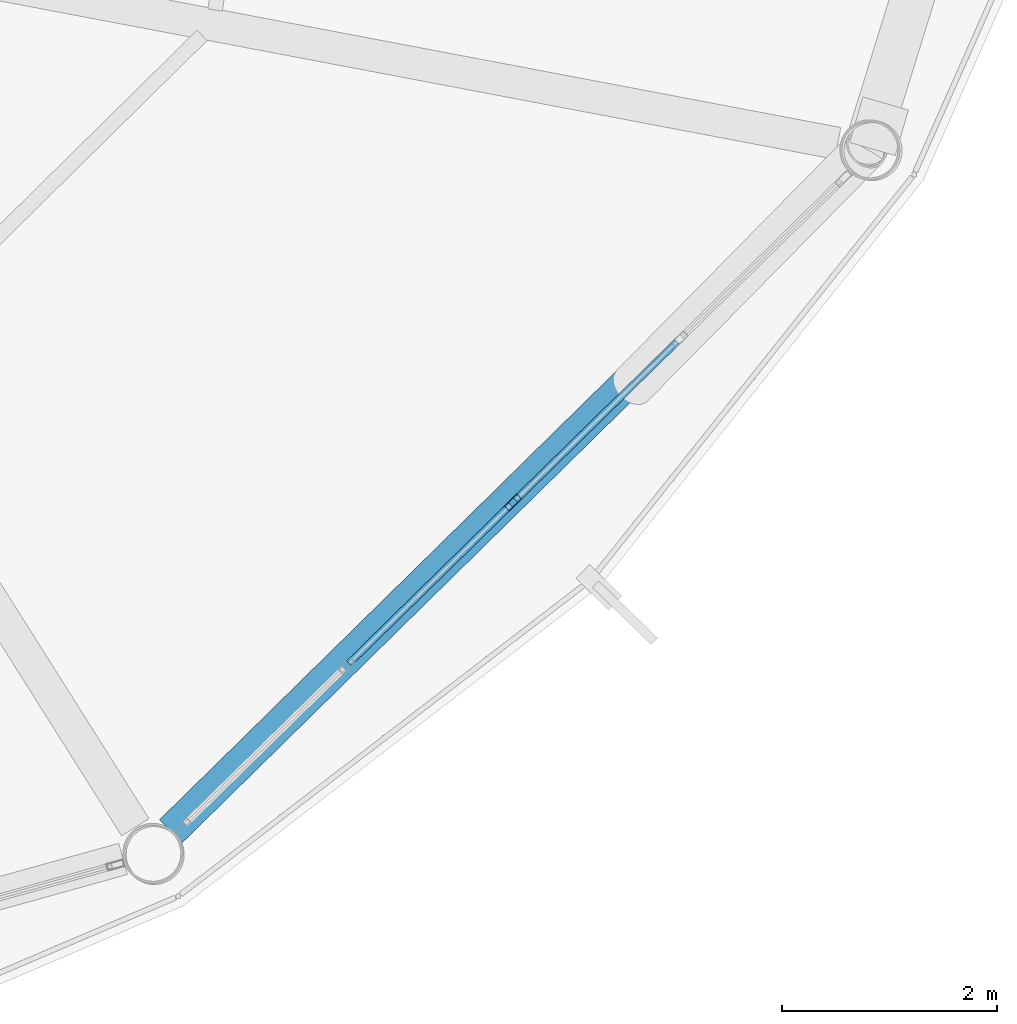
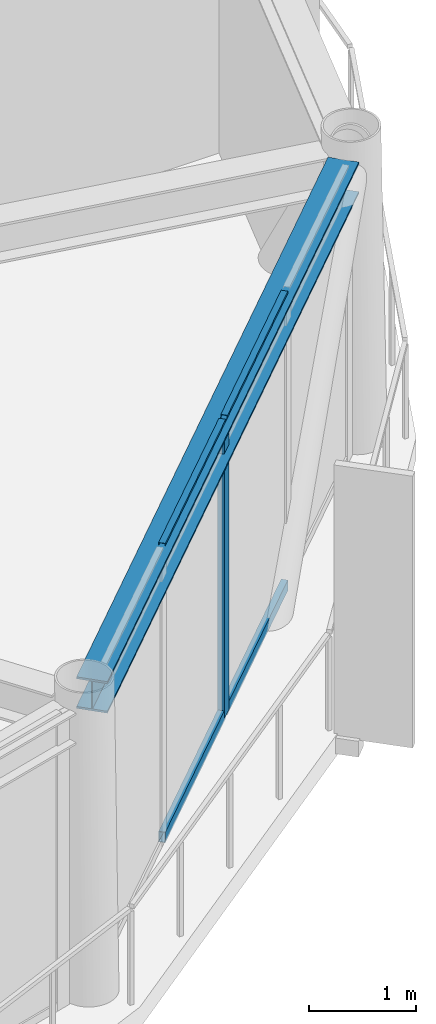
# One storey, part 9 of 26: 5 members, 1 beam, 1 element without a shape of its own.
"""IFC4 building model written with IfcOpenShell, lengths in metres."""

from ifc_helpers import new_model, si_unit, direction, frame, origin, origin_2d, place, context, subcontext, project, spatial, hollow_rectangle, i_section, extrude, material, layer, layer_set, material_profile, profile_set, type_object, element, aggregate, save


model = new_model("IFC4")

# Units and contexts
model_context = context("Model", 3, precision=1e-05, world=origin(), true_north=direction((0.0, 1.0)))
body_context = subcontext(model_context, "Body", "Model", "MODEL_VIEW")
ifc_project = project(units=[si_unit("LENGTHUNIT", "METRE"), si_unit("AREAUNIT", "SQUARE_METRE"), si_unit("VOLUMEUNIT", "CUBIC_METRE"), si_unit("PLANEANGLEUNIT", "RADIAN"), si_unit("MASSUNIT", "GRAM", prefix="KILO")], contexts=[model_context])

# Site, building, storey
site_placement = place(None, origin())
site = spatial("IfcSite", under=ifc_project, at=site_placement, CompositionType="ELEMENT")
building_placement = place(site_placement, origin())
building = spatial("IfcBuilding", under=site, at=building_placement, Name="Varnakorn Sky Granary", CompositionType="ELEMENT")
storey_placement = place(building_placement, frame((0.0, 0.0, 256.199951171875)))
storey = spatial("IfcBuildingStorey", under=building, at=storey_placement, Name="L65", CompositionType="ELEMENT", Elevation=256.199951171875)

# Beam
ifc_material_1 = material(Name="Steel S355JR", Category="steel")
ifc_material_profile_1 = material_profile(ifc_material_1, i_section(OverallWidth=0.300048828125, OverallDepth=0.360107421875, WebThickness=0.012451171875, FlangeThickness=0.0224609375, at=origin_2d()), Name="HE 360 B")
ifc_profile_set_1 = profile_set([ifc_material_profile_1], Name="Steel S355JR")
beam_type = type_object("IfcBeamType", Name="BM-SPD-Z5", PredefinedType="SPANDREL", material=ifc_profile_set_1)
beam_placement = place(storey_placement, frame((14.1171875, -15.260986328125, 3.179931640625), z_axis=(0.713399543588, 0.700757512417, 0.0), x_axis=(-0.700757512417, 0.713399543588, 0.0)))
element("IfcBeam", 1, at=beam_placement, inside=storey, type_object=beam_type, Name="Perimeter Spandrel Ring Beam RB11 L65", PredefinedType="SPANDREL", context=body_context, shape_type="SweptSolid", body=[
    extrude(i_section(OverallWidth=0.300048828125, OverallDepth=0.360107421875, WebThickness=0.012451171875, FlangeThickness=0.0224609375, at=origin_2d()), origin(), (0.0, 0.0, 1.0), 8.786865234375),
])

# Curtain wall, members
ifc_material_2 = material(Name="Anodised Bronze Aluminium Alloy 6063-T6", Category="aluminium")
ifc_layer = layer(ifc_material_2, 0.159912109375, Name="Anodised Bronze Aluminium Alloy 6063-T6")
ifc_layer_set = layer_set([ifc_layer], Name="Anodised Bronze Aluminium Alloy 6063-T6")
curtain_wall_type = type_object("IfcCurtainWallType", Name="CW-OFF-1", PredefinedType="USERDEFINED", material=ifc_layer_set)
curtain_wall_placement = place(storey_placement, origin())
curtain_wall = element("IfcCurtainWall", 2, at=curtain_wall_placement, inside=storey, type_object=curtain_wall_type, Name="Unitised Curtain Wall CW6 CW-L65-B11", ObjectType="CURTAIN WALL", PredefinedType="USERDEFINED")
ifc_material_profile_2 = material_profile(ifc_material_2, hollow_rectangle(XDim=0.06494140625, YDim=0.159912109375, WallThickness=0.00341796875, at=origin_2d()), Name="ALU MULL 65x160")
ifc_profile_set_2 = profile_set([ifc_material_profile_2], Name="Anodised Bronze Aluminium Alloy 6063-T6")
member_type_1 = type_object("IfcMemberType", Name="CW-OFF-1-MULL", PredefinedType="MULLION", material=ifc_profile_set_2)
member_1_placement = place(storey_placement, frame((17.2978515625, -12.20556640625, 0.0), z_axis=(0.0, 0.0, 1.0), x_axis=(0.700118147913, -0.71402701557, 0.0)))
member_1 = element("IfcMember", 3, at=member_1_placement, type_object=member_type_1, Name="CW6 mullion 3", PredefinedType="MULLION", context=body_context, shape_type="SweptSolid", body=[
    extrude(hollow_rectangle(XDim=0.06494140625, YDim=0.159912109375, WallThickness=0.00341796875, at=origin_2d()), origin(), (0.0, 0.0, 1.0), 3.360107421875),
])
ifc_material_profile_3 = material_profile(ifc_material_2, hollow_rectangle(XDim=0.06494140625, YDim=0.1201171875, WallThickness=0.00341796875, at=origin_2d()), Name="ALU TRAN 65x120")
ifc_profile_set_3 = profile_set([ifc_material_profile_3], Name="Anodised Bronze Aluminium Alloy 6063-T6")
member_type_2 = type_object("IfcMemberType", Name="CW-OFF-1-TRAN", PredefinedType="USERDEFINED", material=ifc_profile_set_3)
member_2_placement = place(storey_placement, frame((18.8212890625, -10.7119140625, 0.032470703125), z_axis=(-0.714102454524, -0.700041201961, 0.0), x_axis=(0.700041201961, -0.714102454524, 0.0)))
member_2 = element("IfcMember", 4, at=member_2_placement, type_object=member_type_2, Name="CW6 transom 2.1", ObjectType="TRANSOM", PredefinedType="USERDEFINED", context=body_context, shape_type="SweptSolid", body=[
    extrude(hollow_rectangle(XDim=0.06494140625, YDim=0.1201171875, WallThickness=0.00341796875, at=origin_2d()), origin(), (0.0, 0.0, 1.0), 2.100830078125),
])
member_3_placement = place(storey_placement, frame((18.8212890625, -10.7119140625, 3.32763671875), z_axis=(-0.714102454524, -0.700041201961, 0.0), x_axis=(0.700041201961, -0.714102454524, 0.0)))
member_3 = element("IfcMember", 5, at=member_3_placement, type_object=member_type_2, Name="CW6 transom 2.2", ObjectType="TRANSOM", PredefinedType="USERDEFINED", context=body_context, shape_type="SweptSolid", body=[
    extrude(hollow_rectangle(XDim=0.06494140625, YDim=0.1201171875, WallThickness=0.00341796875, at=origin_2d()), origin(), (0.0, 0.0, 1.0), 2.100830078125),
])
member_4_placement = place(storey_placement, frame((17.274658203125, -12.228271484375, 0.032470703125), z_axis=(-0.714045498468, -0.700099297326, 0.0), x_axis=(0.700099297326, -0.714045498468, 0.0)))
member_4 = element("IfcMember", 6, at=member_4_placement, type_object=member_type_2, Name="CW6 transom 3.1", ObjectType="TRANSOM", PredefinedType="USERDEFINED", context=body_context, shape_type="SweptSolid", body=[
    extrude(hollow_rectangle(XDim=0.06494140625, YDim=0.1201171875, WallThickness=0.00341796875, at=origin_2d()), origin(), (0.0, 0.0, 1.0), 2.1005859375),
])
member_5_placement = place(storey_placement, frame((17.274658203125, -12.228271484375, 3.32763671875), z_axis=(-0.714045498468, -0.700099297326, 0.0), x_axis=(0.700099297326, -0.714045498468, 0.0)))
member_5 = element("IfcMember", 7, at=member_5_placement, type_object=member_type_2, Name="CW6 transom 3.2", ObjectType="TRANSOM", PredefinedType="USERDEFINED", context=body_context, shape_type="SweptSolid", body=[
    extrude(hollow_rectangle(XDim=0.06494140625, YDim=0.1201171875, WallThickness=0.00341796875, at=origin_2d()), origin(), (0.0, 0.0, 1.0), 2.1005859375),
])
aggregate(curtain_wall, [member_1, member_2, member_3, member_4, member_5])

save(model, "model.ifc")
